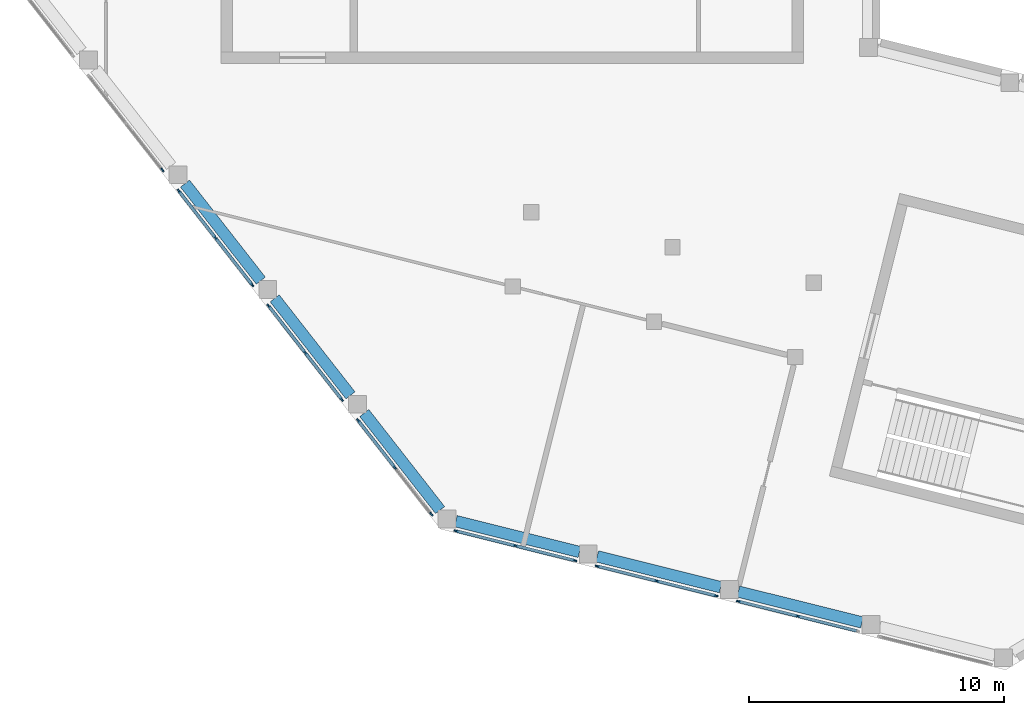
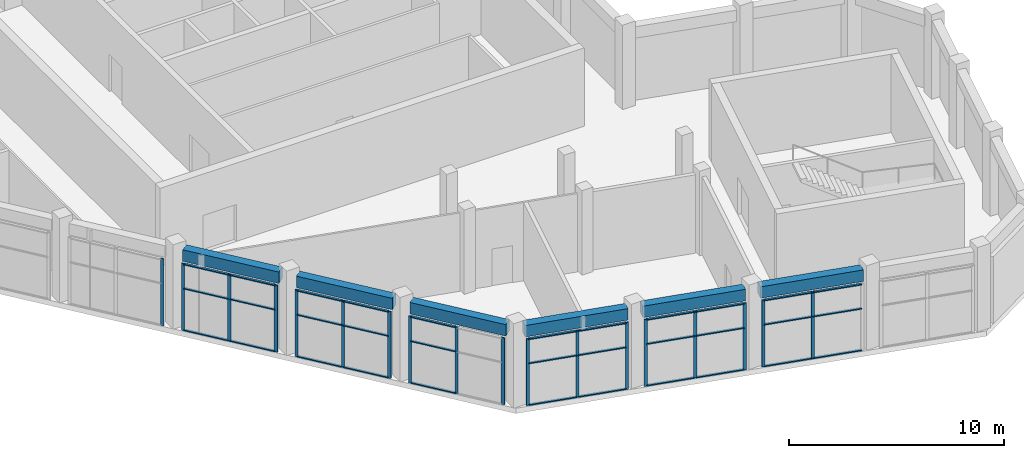
# One storey, part 2 of 10: 51 members, 6 beams, 7 elements without a shape of their own.
"""IFC4 building model written with IfcOpenShell, lengths in metres."""

from ifc_helpers import new_model, si_unit, direction, frame, origin, origin_2d, place, context, subcontext, project, spatial, rectangle, extrude, material, material_profile, profile_set, type_object, element, aggregate, save


model = new_model("IFC4")

# Units and contexts
model_context = context("Model", 3, precision=1e-05, world=origin(), true_north=direction((0.0, 1.0)))
body_context = subcontext(model_context, "Body", "Model", "MODEL_VIEW")
ifc_project = project(units=[si_unit("LENGTHUNIT", "METRE"), si_unit("AREAUNIT", "SQUARE_METRE"), si_unit("VOLUMEUNIT", "CUBIC_METRE"), si_unit("PLANEANGLEUNIT", "RADIAN"), si_unit("MASSUNIT", "GRAM", prefix="KILO")], contexts=[model_context])

# Site, building, storey
site_placement = place(None, origin())
site = spatial("IfcSite", under=ifc_project, at=site_placement, CompositionType="ELEMENT")
building_placement = place(site_placement, origin())
building = spatial("IfcBuilding", under=site, at=building_placement, Name="Meshkara Civic Tower", CompositionType="ELEMENT")
storey_placement = place(building_placement, frame((0.0, 0.0, 424.199951171875)))
storey = spatial("IfcBuildingStorey", under=building, at=storey_placement, Name="L97 Crown", CompositionType="ELEMENT", Elevation=424.199951171875)

# Curtain wall, member
ifc_material_1 = material(Name="Tinted double glazing", Category="glass")
curtain_wall_type = type_object("IfcCurtainWallType", Name="CW CROWN LANTERN", PredefinedType="NOTDEFINED", material=ifc_material_1)
curtain_wall_1_placement = place(storey_placement, origin())
curtain_wall_1 = element("IfcCurtainWall", 1, at=curtain_wall_1_placement, inside=storey, type_object=curtain_wall_type, Name="Curtain wall CW3", PredefinedType="NOTDEFINED")
ifc_material_2 = material(Name="Bronze anodised aluminium", Category="aluminium")
ifc_material_profile_1 = material_profile(ifc_material_2, rectangle(XDim=0.06005859375, YDim=0.159912109375, at=origin_2d()))
ifc_profile_set_1 = profile_set([ifc_material_profile_1], Name="Bronze anodised aluminium")
member_type_1 = type_object("IfcMemberType", Name="CW MULLION 60x160", PredefinedType="MULLION", material=ifc_profile_set_1)
member_1_placement = place(storey_placement, frame((5.71044921875, 9.920654296875, 0.0), z_axis=(0.0, 0.0, 1.0), x_axis=(0.788014731293, 0.615656384086, 0.0)))
member_1 = element("IfcMember", 2, at=member_1_placement, type_object=member_type_1, Name="CW3 mullion 3", PredefinedType="MULLION", context=body_context, shape_type="SweptSolid", body=[
    extrude(rectangle(XDim=0.06005859375, YDim=0.159912109375, at=origin_2d()), origin(), (0.0, 0.0, 1.0), 3.800048828125),
])
aggregate(curtain_wall_1, [member_1])

# Curtain wall, members
curtain_wall_2_placement = place(storey_placement, origin())
curtain_wall_2 = element("IfcCurtainWall", 3, at=curtain_wall_2_placement, inside=storey, type_object=curtain_wall_type, Name="Curtain wall CW3", PredefinedType="NOTDEFINED")
member_2_placement = place(storey_placement, frame((6.3525390625, 9.098388671875, 0.0), z_axis=(0.0, 0.0, 1.0), x_axis=(0.787992241085, 0.615685169539, 0.0)))
member_2 = element("IfcMember", 4, at=member_2_placement, type_object=member_type_1, Name="CW3 mullion 1", PredefinedType="MULLION", context=body_context, shape_type="SweptSolid", body=[
    extrude(rectangle(XDim=0.06005859375, YDim=0.159912109375, at=origin_2d()), origin(), (0.0, 0.0, 1.0), 3.800048828125),
])
member_3_placement = place(storey_placement, frame((7.78662109375, 7.262939453125, 0.0), z_axis=(0.0, 0.0, 1.0), x_axis=(0.787992241085, 0.615685169539, 0.0)))
member_3 = element("IfcMember", 5, at=member_3_placement, type_object=member_type_1, Name="CW3 mullion 2", PredefinedType="MULLION", context=body_context, shape_type="SweptSolid", body=[
    extrude(rectangle(XDim=0.06005859375, YDim=0.159912109375, at=origin_2d()), origin(), (0.0, 0.0, 1.0), 3.800048828125),
])
member_4_placement = place(storey_placement, frame((9.220458984375, 5.427734375, 0.0), z_axis=(0.0, 0.0, 1.0), x_axis=(0.787992241085, 0.615685169539, 0.0)))
member_4 = element("IfcMember", 6, at=member_4_placement, type_object=member_type_1, Name="CW3 mullion 3", PredefinedType="MULLION", context=body_context, shape_type="SweptSolid", body=[
    extrude(rectangle(XDim=0.06005859375, YDim=0.159912109375, at=origin_2d()), origin(), (0.0, 0.0, 1.0), 3.800048828125),
])

curtain_wall_3_placement = place(storey_placement, origin())
curtain_wall_3 = element("IfcCurtainWall", 7, at=curtain_wall_3_placement, inside=storey, type_object=curtain_wall_type, Name="Curtain wall CW3", PredefinedType="NOTDEFINED")
member_5_placement = place(storey_placement, frame((9.862548828125, 4.6064453125, 0.0), z_axis=(0.0, 0.0, 1.0), x_axis=(0.788014731293, 0.615656384086, 0.0)))
member_5 = element("IfcMember", 8, at=member_5_placement, type_object=member_type_1, Name="CW3 mullion 1", PredefinedType="MULLION", context=body_context, shape_type="SweptSolid", body=[
    extrude(rectangle(XDim=0.06005859375, YDim=0.159912109375, at=origin_2d()), origin(), (0.0, 0.0, 1.0), 3.800048828125),
])
member_6_placement = place(storey_placement, frame((11.2958984375, 2.771484375, 0.0), z_axis=(0.0, 0.0, 1.0), x_axis=(0.788014731293, 0.615656384086, 0.0)))
member_6 = element("IfcMember", 9, at=member_6_placement, type_object=member_type_1, Name="CW3 mullion 2", PredefinedType="MULLION", context=body_context, shape_type="SweptSolid", body=[
    extrude(rectangle(XDim=0.06005859375, YDim=0.159912109375, at=origin_2d()), origin(), (0.0, 0.0, 1.0), 3.800048828125),
])
member_7_placement = place(storey_placement, frame((12.7294921875, 0.9365234375, 0.0), z_axis=(0.0, 0.0, 1.0), x_axis=(0.788014731293, 0.615656384086, 0.0)))
member_7 = element("IfcMember", 10, at=member_7_placement, type_object=member_type_1, Name="CW3 mullion 3", PredefinedType="MULLION", context=body_context, shape_type="SweptSolid", body=[
    extrude(rectangle(XDim=0.06005859375, YDim=0.159912109375, at=origin_2d()), origin(), (0.0, 0.0, 1.0), 3.800048828125),
])

curtain_wall_4_placement = place(storey_placement, origin())
curtain_wall_4 = element("IfcCurtainWall", 11, at=curtain_wall_4_placement, inside=storey, type_object=curtain_wall_type, Name="Curtain wall CW3", PredefinedType="NOTDEFINED")
member_8_placement = place(storey_placement, frame((13.37158203125, 0.115478515625, 0.0), z_axis=(0.0, 0.0, 1.0), x_axis=(0.788014731293, 0.615656384086, 0.0)))
member_8 = element("IfcMember", 12, at=member_8_placement, type_object=member_type_1, Name="CW3 mullion 1", PredefinedType="MULLION", context=body_context, shape_type="SweptSolid", body=[
    extrude(rectangle(XDim=0.06005859375, YDim=0.159912109375, at=origin_2d()), origin(), (0.0, 0.0, 1.0), 3.800048828125),
])
member_9_placement = place(storey_placement, frame((14.804931640625, -1.719482421875, 0.0), z_axis=(0.0, 0.0, 1.0), x_axis=(0.788014731293, 0.615656384086, 0.0)))
member_9 = element("IfcMember", 13, at=member_9_placement, type_object=member_type_1, Name="CW3 mullion 2", PredefinedType="MULLION", context=body_context, shape_type="SweptSolid", body=[
    extrude(rectangle(XDim=0.06005859375, YDim=0.159912109375, at=origin_2d()), origin(), (0.0, 0.0, 1.0), 3.800048828125),
])
member_10_placement = place(storey_placement, frame((16.238525390625, -3.554443359375, 0.0), z_axis=(0.0, 0.0, 1.0), x_axis=(0.788014731293, 0.615656384086, 0.0)))
member_10 = element("IfcMember", 14, at=member_10_placement, type_object=member_type_1, Name="CW3 mullion 3", PredefinedType="MULLION", context=body_context, shape_type="SweptSolid", body=[
    extrude(rectangle(XDim=0.06005859375, YDim=0.159912109375, at=origin_2d()), origin(), (0.0, 0.0, 1.0), 3.800048828125),
])

curtain_wall_5_placement = place(storey_placement, origin())
curtain_wall_5 = element("IfcCurtainWall", 15, at=curtain_wall_5_placement, inside=storey, type_object=curtain_wall_type, Name="Curtain wall CW3", PredefinedType="NOTDEFINED")
member_11_placement = place(storey_placement, frame((17.2021484375, -4.206298828125, 0.0), z_axis=(0.0, 0.0, 1.0), x_axis=(0.241953670576, 0.970287803332, 0.0)))
member_11 = element("IfcMember", 16, at=member_11_placement, type_object=member_type_1, Name="CW3 mullion 1", PredefinedType="MULLION", context=body_context, shape_type="SweptSolid", body=[
    extrude(rectangle(XDim=0.06005859375, YDim=0.159912109375, at=origin_2d()), origin(), (0.0, 0.0, 1.0), 3.800048828125),
])
member_12_placement = place(storey_placement, frame((19.527099609375, -4.785888671875, 0.0), z_axis=(0.0, 0.0, 1.0), x_axis=(0.241953670576, 0.970287803332, 0.0)))
member_12 = element("IfcMember", 17, at=member_12_placement, type_object=member_type_1, Name="CW3 mullion 2", PredefinedType="MULLION", context=body_context, shape_type="SweptSolid", body=[
    extrude(rectangle(XDim=0.06005859375, YDim=0.159912109375, at=origin_2d()), origin(), (0.0, 0.0, 1.0), 3.800048828125),
])
member_13_placement = place(storey_placement, frame((21.851806640625, -5.36572265625, 0.0), z_axis=(0.0, 0.0, 1.0), x_axis=(0.241953670576, 0.970287803332, 0.0)))
member_13 = element("IfcMember", 18, at=member_13_placement, type_object=member_type_1, Name="CW3 mullion 3", PredefinedType="MULLION", context=body_context, shape_type="SweptSolid", body=[
    extrude(rectangle(XDim=0.06005859375, YDim=0.159912109375, at=origin_2d()), origin(), (0.0, 0.0, 1.0), 3.800048828125),
])

curtain_wall_6_placement = place(storey_placement, origin())
curtain_wall_6 = element("IfcCurtainWall", 19, at=curtain_wall_6_placement, inside=storey, type_object=curtain_wall_type, Name="Curtain wall CW3", PredefinedType="NOTDEFINED")
member_14_placement = place(storey_placement, frame((22.733154296875, -5.586181640625, 0.0), z_axis=(0.0, 0.0, 1.0), x_axis=(0.241807986541, 0.970324119892, 0.0)))
member_14 = element("IfcMember", 20, at=member_14_placement, type_object=member_type_1, Name="CW3 mullion 1", PredefinedType="MULLION", context=body_context, shape_type="SweptSolid", body=[
    extrude(rectangle(XDim=0.06005859375, YDim=0.159912109375, at=origin_2d()), origin(), (0.0, 0.0, 1.0), 3.800048828125),
])
member_15_placement = place(storey_placement, frame((25.0576171875, -6.16552734375, 0.0), z_axis=(0.0, 0.0, 1.0), x_axis=(0.241807986541, 0.970324119892, 0.0)))
member_15 = element("IfcMember", 21, at=member_15_placement, type_object=member_type_1, Name="CW3 mullion 2", PredefinedType="MULLION", context=body_context, shape_type="SweptSolid", body=[
    extrude(rectangle(XDim=0.06005859375, YDim=0.159912109375, at=origin_2d()), origin(), (0.0, 0.0, 1.0), 3.800048828125),
])
member_16_placement = place(storey_placement, frame((27.3818359375, -6.74462890625, 0.0), z_axis=(0.0, 0.0, 1.0), x_axis=(0.241807986541, 0.970324119892, 0.0)))
member_16 = element("IfcMember", 22, at=member_16_placement, type_object=member_type_1, Name="CW3 mullion 3", PredefinedType="MULLION", context=body_context, shape_type="SweptSolid", body=[
    extrude(rectangle(XDim=0.06005859375, YDim=0.159912109375, at=origin_2d()), origin(), (0.0, 0.0, 1.0), 3.800048828125),
])

curtain_wall_7_placement = place(storey_placement, origin())
curtain_wall_7 = element("IfcCurtainWall", 23, at=curtain_wall_7_placement, inside=storey, type_object=curtain_wall_type, Name="Curtain wall CW3", PredefinedType="NOTDEFINED")
member_17_placement = place(storey_placement, frame((28.26318359375, -6.96435546875, 0.0), z_axis=(0.0, 0.0, 1.0), x_axis=(0.241953670576, 0.970287803332, 0.0)))
member_17 = element("IfcMember", 24, at=member_17_placement, type_object=member_type_1, Name="CW3 mullion 1", PredefinedType="MULLION", context=body_context, shape_type="SweptSolid", body=[
    extrude(rectangle(XDim=0.06005859375, YDim=0.159912109375, at=origin_2d()), origin(), (0.0, 0.0, 1.0), 3.800048828125),
])
member_18_placement = place(storey_placement, frame((30.587890625, -7.5439453125, 0.0), z_axis=(0.0, 0.0, 1.0), x_axis=(0.241953670576, 0.970287803332, 0.0)))
member_18 = element("IfcMember", 25, at=member_18_placement, type_object=member_type_1, Name="CW3 mullion 2", PredefinedType="MULLION", context=body_context, shape_type="SweptSolid", body=[
    extrude(rectangle(XDim=0.06005859375, YDim=0.159912109375, at=origin_2d()), origin(), (0.0, 0.0, 1.0), 3.800048828125),
])

# Member
ifc_material_3 = material(Name="Bronze anodised aluminium", Category="aluminium")
ifc_material_profile_2 = material_profile(ifc_material_3, rectangle(XDim=0.1201171875, YDim=0.06005859375, at=origin_2d()))
ifc_profile_set_2 = profile_set([ifc_material_profile_2], Name="Bronze anodised aluminium")
member_type_2 = type_object("IfcMemberType", Name="CW TRANSOM 60x120", PredefinedType="USERDEFINED", material=ifc_profile_set_2)
member_19_placement = place(storey_placement, frame((6.370849609375, 9.07470703125, 0.030029296875), z_axis=(0.615719199865, -0.787965650849, 0.0), x_axis=(0.787965650849, 0.615719199865, 0.0)))
member_19 = element("IfcMember", 26, at=member_19_placement, type_object=member_type_2, Name="CW3 transom 1.1", ObjectType="TRANSOM", PredefinedType="USERDEFINED", context=body_context, shape_type="SweptSolid", body=[
    extrude(rectangle(XDim=0.1201171875, YDim=0.06005859375, at=origin_2d()), origin(), (0.0, 0.0, 1.0), 2.269287109375),
])

member_20_placement = place(storey_placement, frame((6.370849609375, 9.07470703125, 2.400146484375), z_axis=(0.615719199865, -0.787965650849, 0.0), x_axis=(0.787965650849, 0.615719199865, 0.0)))
member_20 = element("IfcMember", 27, at=member_20_placement, type_object=member_type_2, Name="CW3 transom 1.2", ObjectType="TRANSOM", PredefinedType="USERDEFINED", context=body_context, shape_type="SweptSolid", body=[
    extrude(rectangle(XDim=0.1201171875, YDim=0.06005859375, at=origin_2d()), origin(), (0.0, 0.0, 1.0), 2.269287109375),
])

member_21_placement = place(storey_placement, frame((6.370849609375, 9.07470703125, 3.77001953125), z_axis=(0.615719199865, -0.787965650849, 0.0), x_axis=(0.787965650849, 0.615719199865, 0.0)))
member_21 = element("IfcMember", 28, at=member_21_placement, type_object=member_type_2, Name="CW3 transom 1.3", ObjectType="TRANSOM", PredefinedType="USERDEFINED", context=body_context, shape_type="SweptSolid", body=[
    extrude(rectangle(XDim=0.1201171875, YDim=0.06005859375, at=origin_2d()), origin(), (0.0, 0.0, 1.0), 2.269287109375),
])

member_22_placement = place(storey_placement, frame((7.804931640625, 7.2392578125, 0.030029296875), z_axis=(0.615719199865, -0.787965650849, 0.0), x_axis=(0.787965650849, 0.615719199865, 0.0)))
member_22 = element("IfcMember", 29, at=member_22_placement, type_object=member_type_2, Name="CW3 transom 2.1", ObjectType="TRANSOM", PredefinedType="USERDEFINED", context=body_context, shape_type="SweptSolid", body=[
    extrude(rectangle(XDim=0.1201171875, YDim=0.06005859375, at=origin_2d()), origin(), (0.0, 0.0, 1.0), 2.269287109375),
])

member_23_placement = place(storey_placement, frame((7.804931640625, 7.2392578125, 2.400146484375), z_axis=(0.615719199865, -0.787965650849, 0.0), x_axis=(0.787965650849, 0.615719199865, 0.0)))
member_23 = element("IfcMember", 30, at=member_23_placement, type_object=member_type_2, Name="CW3 transom 2.2", ObjectType="TRANSOM", PredefinedType="USERDEFINED", context=body_context, shape_type="SweptSolid", body=[
    extrude(rectangle(XDim=0.1201171875, YDim=0.06005859375, at=origin_2d()), origin(), (0.0, 0.0, 1.0), 2.269287109375),
])

member_24_placement = place(storey_placement, frame((7.804931640625, 7.2392578125, 3.77001953125), z_axis=(0.615719199865, -0.787965650849, 0.0), x_axis=(0.787965650849, 0.615719199865, 0.0)))
member_24 = element("IfcMember", 31, at=member_24_placement, type_object=member_type_2, Name="CW3 transom 2.3", ObjectType="TRANSOM", PredefinedType="USERDEFINED", context=body_context, shape_type="SweptSolid", body=[
    extrude(rectangle(XDim=0.1201171875, YDim=0.06005859375, at=origin_2d()), origin(), (0.0, 0.0, 1.0), 2.269287109375),
])

aggregate(curtain_wall_2, [member_2, member_3, member_4, member_19, member_20, member_21, member_22, member_23, member_24])

member_25_placement = place(storey_placement, frame((9.880859375, 4.582763671875, 0.030029296875), z_axis=(0.615689986337, -0.787988477532, 0.0), x_axis=(0.787988477532, 0.615689986337, 0.0)))
member_25 = element("IfcMember", 32, at=member_25_placement, type_object=member_type_2, Name="CW3 transom 1.1", ObjectType="TRANSOM", PredefinedType="USERDEFINED", context=body_context, shape_type="SweptSolid", body=[
    extrude(rectangle(XDim=0.1201171875, YDim=0.06005859375, at=origin_2d()), origin(), (0.0, 0.0, 1.0), 2.2685546875),
])

member_26_placement = place(storey_placement, frame((9.880859375, 4.582763671875, 2.400146484375), z_axis=(0.615689986337, -0.787988477532, 0.0), x_axis=(0.787988477532, 0.615689986337, 0.0)))
member_26 = element("IfcMember", 33, at=member_26_placement, type_object=member_type_2, Name="CW3 transom 1.2", ObjectType="TRANSOM", PredefinedType="USERDEFINED", context=body_context, shape_type="SweptSolid", body=[
    extrude(rectangle(XDim=0.1201171875, YDim=0.06005859375, at=origin_2d()), origin(), (0.0, 0.0, 1.0), 2.2685546875),
])

member_27_placement = place(storey_placement, frame((9.880859375, 4.582763671875, 3.77001953125), z_axis=(0.615689986337, -0.787988477532, 0.0), x_axis=(0.787988477532, 0.615689986337, 0.0)))
member_27 = element("IfcMember", 34, at=member_27_placement, type_object=member_type_2, Name="CW3 transom 1.3", ObjectType="TRANSOM", PredefinedType="USERDEFINED", context=body_context, shape_type="SweptSolid", body=[
    extrude(rectangle(XDim=0.1201171875, YDim=0.06005859375, at=origin_2d()), origin(), (0.0, 0.0, 1.0), 2.2685546875),
])

member_28_placement = place(storey_placement, frame((11.314453125, 2.747802734375, 0.030029296875), z_axis=(0.615689986337, -0.787988477532, 0.0), x_axis=(0.787988477532, 0.615689986337, 0.0)))
member_28 = element("IfcMember", 35, at=member_28_placement, type_object=member_type_2, Name="CW3 transom 2.1", ObjectType="TRANSOM", PredefinedType="USERDEFINED", context=body_context, shape_type="SweptSolid", body=[
    extrude(rectangle(XDim=0.1201171875, YDim=0.06005859375, at=origin_2d()), origin(), (0.0, 0.0, 1.0), 2.2685546875),
])

member_29_placement = place(storey_placement, frame((11.314453125, 2.747802734375, 2.400146484375), z_axis=(0.615689986337, -0.787988477532, 0.0), x_axis=(0.787988477532, 0.615689986337, 0.0)))
member_29 = element("IfcMember", 36, at=member_29_placement, type_object=member_type_2, Name="CW3 transom 2.2", ObjectType="TRANSOM", PredefinedType="USERDEFINED", context=body_context, shape_type="SweptSolid", body=[
    extrude(rectangle(XDim=0.1201171875, YDim=0.06005859375, at=origin_2d()), origin(), (0.0, 0.0, 1.0), 2.2685546875),
])

member_30_placement = place(storey_placement, frame((11.314453125, 2.747802734375, 3.77001953125), z_axis=(0.615689986337, -0.787988477532, 0.0), x_axis=(0.787988477532, 0.615689986337, 0.0)))
member_30 = element("IfcMember", 37, at=member_30_placement, type_object=member_type_2, Name="CW3 transom 2.3", ObjectType="TRANSOM", PredefinedType="USERDEFINED", context=body_context, shape_type="SweptSolid", body=[
    extrude(rectangle(XDim=0.1201171875, YDim=0.06005859375, at=origin_2d()), origin(), (0.0, 0.0, 1.0), 2.2685546875),
])

aggregate(curtain_wall_3, [member_5, member_6, member_7, member_25, member_26, member_27, member_28, member_29, member_30])

member_31_placement = place(storey_placement, frame((13.389892578125, 0.091796875, 0.030029296875), z_axis=(0.615689986337, -0.787988477532, 0.0), x_axis=(0.787988477532, 0.615689986337, 0.0)))
member_31 = element("IfcMember", 38, at=member_31_placement, type_object=member_type_2, Name="CW3 transom 1.1", ObjectType="TRANSOM", PredefinedType="USERDEFINED", context=body_context, shape_type="SweptSolid", body=[
    extrude(rectangle(XDim=0.1201171875, YDim=0.06005859375, at=origin_2d()), origin(), (0.0, 0.0, 1.0), 2.2685546875),
])

member_32_placement = place(storey_placement, frame((13.389892578125, 0.091796875, 2.400146484375), z_axis=(0.615689986337, -0.787988477532, 0.0), x_axis=(0.787988477532, 0.615689986337, 0.0)))
member_32 = element("IfcMember", 39, at=member_32_placement, type_object=member_type_2, Name="CW3 transom 1.2", ObjectType="TRANSOM", PredefinedType="USERDEFINED", context=body_context, shape_type="SweptSolid", body=[
    extrude(rectangle(XDim=0.1201171875, YDim=0.06005859375, at=origin_2d()), origin(), (0.0, 0.0, 1.0), 2.2685546875),
])

member_33_placement = place(storey_placement, frame((13.389892578125, 0.091796875, 3.77001953125), z_axis=(0.615689986337, -0.787988477532, 0.0), x_axis=(0.787988477532, 0.615689986337, 0.0)))
member_33 = element("IfcMember", 40, at=member_33_placement, type_object=member_type_2, Name="CW3 transom 1.3", ObjectType="TRANSOM", PredefinedType="USERDEFINED", context=body_context, shape_type="SweptSolid", body=[
    extrude(rectangle(XDim=0.1201171875, YDim=0.06005859375, at=origin_2d()), origin(), (0.0, 0.0, 1.0), 2.2685546875),
])

aggregate(curtain_wall_4, [member_8, member_9, member_10, member_31, member_32, member_33])

member_34_placement = place(storey_placement, frame((17.231201171875, -4.213623046875, 0.030029296875), z_axis=(0.970289867048, -0.241945394465, 0.0), x_axis=(0.241945394465, 0.970289867048, 0.0)))
member_34 = element("IfcMember", 41, at=member_34_placement, type_object=member_type_2, Name="CW3 transom 1.1", ObjectType="TRANSOM", PredefinedType="USERDEFINED", context=body_context, shape_type="SweptSolid", body=[
    extrude(rectangle(XDim=0.1201171875, YDim=0.06005859375, at=origin_2d()), origin(), (0.0, 0.0, 1.0), 2.3359375),
])

member_35_placement = place(storey_placement, frame((17.231201171875, -4.213623046875, 2.400146484375), z_axis=(0.970289867048, -0.241945394465, 0.0), x_axis=(0.241945394465, 0.970289867048, 0.0)))
member_35 = element("IfcMember", 42, at=member_35_placement, type_object=member_type_2, Name="CW3 transom 1.2", ObjectType="TRANSOM", PredefinedType="USERDEFINED", context=body_context, shape_type="SweptSolid", body=[
    extrude(rectangle(XDim=0.1201171875, YDim=0.06005859375, at=origin_2d()), origin(), (0.0, 0.0, 1.0), 2.3359375),
])

member_36_placement = place(storey_placement, frame((17.231201171875, -4.213623046875, 3.77001953125), z_axis=(0.970289867048, -0.241945394465, 0.0), x_axis=(0.241945394465, 0.970289867048, 0.0)))
member_36 = element("IfcMember", 43, at=member_36_placement, type_object=member_type_2, Name="CW3 transom 1.3", ObjectType="TRANSOM", PredefinedType="USERDEFINED", context=body_context, shape_type="SweptSolid", body=[
    extrude(rectangle(XDim=0.1201171875, YDim=0.06005859375, at=origin_2d()), origin(), (0.0, 0.0, 1.0), 2.3359375),
])

member_37_placement = place(storey_placement, frame((19.55615234375, -4.793212890625, 0.030029296875), z_axis=(0.970289867048, -0.241945394465, 0.0), x_axis=(0.241945394465, 0.970289867048, 0.0)))
member_37 = element("IfcMember", 44, at=member_37_placement, type_object=member_type_2, Name="CW3 transom 2.1", ObjectType="TRANSOM", PredefinedType="USERDEFINED", context=body_context, shape_type="SweptSolid", body=[
    extrude(rectangle(XDim=0.1201171875, YDim=0.06005859375, at=origin_2d()), origin(), (0.0, 0.0, 1.0), 2.3359375),
])

member_38_placement = place(storey_placement, frame((19.55615234375, -4.793212890625, 2.400146484375), z_axis=(0.970289867048, -0.241945394465, 0.0), x_axis=(0.241945394465, 0.970289867048, 0.0)))
member_38 = element("IfcMember", 45, at=member_38_placement, type_object=member_type_2, Name="CW3 transom 2.2", ObjectType="TRANSOM", PredefinedType="USERDEFINED", context=body_context, shape_type="SweptSolid", body=[
    extrude(rectangle(XDim=0.1201171875, YDim=0.06005859375, at=origin_2d()), origin(), (0.0, 0.0, 1.0), 2.3359375),
])

member_39_placement = place(storey_placement, frame((19.55615234375, -4.793212890625, 3.77001953125), z_axis=(0.970289867048, -0.241945394465, 0.0), x_axis=(0.241945394465, 0.970289867048, 0.0)))
member_39 = element("IfcMember", 46, at=member_39_placement, type_object=member_type_2, Name="CW3 transom 2.3", ObjectType="TRANSOM", PredefinedType="USERDEFINED", context=body_context, shape_type="SweptSolid", body=[
    extrude(rectangle(XDim=0.1201171875, YDim=0.06005859375, at=origin_2d()), origin(), (0.0, 0.0, 1.0), 2.3359375),
])

aggregate(curtain_wall_5, [member_11, member_12, member_13, member_34, member_35, member_36, member_37, member_38, member_39])

member_40_placement = place(storey_placement, frame((22.76220703125, -5.593505859375, 0.030029296875), z_axis=(0.970326699275, -0.241797635792, 0.0), x_axis=(0.241797635792, 0.970326699275, 0.0)))
member_40 = element("IfcMember", 47, at=member_40_placement, type_object=member_type_2, Name="CW3 transom 1.1", ObjectType="TRANSOM", PredefinedType="USERDEFINED", context=body_context, shape_type="SweptSolid", body=[
    extrude(rectangle(XDim=0.1201171875, YDim=0.06005859375, at=origin_2d()), origin(), (0.0, 0.0, 1.0), 2.33544921875),
])

member_41_placement = place(storey_placement, frame((22.76220703125, -5.593505859375, 2.400146484375), z_axis=(0.970326699275, -0.241797635792, 0.0), x_axis=(0.241797635792, 0.970326699275, 0.0)))
member_41 = element("IfcMember", 48, at=member_41_placement, type_object=member_type_2, Name="CW3 transom 1.2", ObjectType="TRANSOM", PredefinedType="USERDEFINED", context=body_context, shape_type="SweptSolid", body=[
    extrude(rectangle(XDim=0.1201171875, YDim=0.06005859375, at=origin_2d()), origin(), (0.0, 0.0, 1.0), 2.33544921875),
])

member_42_placement = place(storey_placement, frame((22.76220703125, -5.593505859375, 3.77001953125), z_axis=(0.970326699275, -0.241797635792, 0.0), x_axis=(0.241797635792, 0.970326699275, 0.0)))
member_42 = element("IfcMember", 49, at=member_42_placement, type_object=member_type_2, Name="CW3 transom 1.3", ObjectType="TRANSOM", PredefinedType="USERDEFINED", context=body_context, shape_type="SweptSolid", body=[
    extrude(rectangle(XDim=0.1201171875, YDim=0.06005859375, at=origin_2d()), origin(), (0.0, 0.0, 1.0), 2.33544921875),
])

member_43_placement = place(storey_placement, frame((25.086669921875, -6.1728515625, 0.030029296875), z_axis=(0.970326699275, -0.241797635792, 0.0), x_axis=(0.241797635792, 0.970326699275, 0.0)))
member_43 = element("IfcMember", 50, at=member_43_placement, type_object=member_type_2, Name="CW3 transom 2.1", ObjectType="TRANSOM", PredefinedType="USERDEFINED", context=body_context, shape_type="SweptSolid", body=[
    extrude(rectangle(XDim=0.1201171875, YDim=0.06005859375, at=origin_2d()), origin(), (0.0, 0.0, 1.0), 2.33544921875),
])

member_44_placement = place(storey_placement, frame((25.086669921875, -6.1728515625, 2.400146484375), z_axis=(0.970326699275, -0.241797635792, 0.0), x_axis=(0.241797635792, 0.970326699275, 0.0)))
member_44 = element("IfcMember", 51, at=member_44_placement, type_object=member_type_2, Name="CW3 transom 2.2", ObjectType="TRANSOM", PredefinedType="USERDEFINED", context=body_context, shape_type="SweptSolid", body=[
    extrude(rectangle(XDim=0.1201171875, YDim=0.06005859375, at=origin_2d()), origin(), (0.0, 0.0, 1.0), 2.33544921875),
])

member_45_placement = place(storey_placement, frame((25.086669921875, -6.1728515625, 3.77001953125), z_axis=(0.970326699275, -0.241797635792, 0.0), x_axis=(0.241797635792, 0.970326699275, 0.0)))
member_45 = element("IfcMember", 52, at=member_45_placement, type_object=member_type_2, Name="CW3 transom 2.3", ObjectType="TRANSOM", PredefinedType="USERDEFINED", context=body_context, shape_type="SweptSolid", body=[
    extrude(rectangle(XDim=0.1201171875, YDim=0.06005859375, at=origin_2d()), origin(), (0.0, 0.0, 1.0), 2.33544921875),
])

aggregate(curtain_wall_6, [member_14, member_15, member_16, member_40, member_41, member_42, member_43, member_44, member_45])

member_46_placement = place(storey_placement, frame((28.292236328125, -6.971435546875, 0.030029296875), z_axis=(0.970289867048, -0.241945394465, 0.0), x_axis=(0.241945394465, 0.970289867048, 0.0)))
member_46 = element("IfcMember", 53, at=member_46_placement, type_object=member_type_2, Name="CW3 transom 1.1", ObjectType="TRANSOM", PredefinedType="USERDEFINED", context=body_context, shape_type="SweptSolid", body=[
    extrude(rectangle(XDim=0.1201171875, YDim=0.06005859375, at=origin_2d()), origin(), (0.0, 0.0, 1.0), 2.3359375),
])

member_47_placement = place(storey_placement, frame((28.292236328125, -6.971435546875, 2.400146484375), z_axis=(0.970289867048, -0.241945394465, 0.0), x_axis=(0.241945394465, 0.970289867048, 0.0)))
member_47 = element("IfcMember", 54, at=member_47_placement, type_object=member_type_2, Name="CW3 transom 1.2", ObjectType="TRANSOM", PredefinedType="USERDEFINED", context=body_context, shape_type="SweptSolid", body=[
    extrude(rectangle(XDim=0.1201171875, YDim=0.06005859375, at=origin_2d()), origin(), (0.0, 0.0, 1.0), 2.3359375),
])

member_48_placement = place(storey_placement, frame((28.292236328125, -6.971435546875, 3.77001953125), z_axis=(0.970289867048, -0.241945394465, 0.0), x_axis=(0.241945394465, 0.970289867048, 0.0)))
member_48 = element("IfcMember", 55, at=member_48_placement, type_object=member_type_2, Name="CW3 transom 1.3", ObjectType="TRANSOM", PredefinedType="USERDEFINED", context=body_context, shape_type="SweptSolid", body=[
    extrude(rectangle(XDim=0.1201171875, YDim=0.06005859375, at=origin_2d()), origin(), (0.0, 0.0, 1.0), 2.3359375),
])

member_49_placement = place(storey_placement, frame((30.6171875, -7.55126953125, 0.030029296875), z_axis=(0.970289867048, -0.241945394465, 0.0), x_axis=(0.241945394465, 0.970289867048, 0.0)))
member_49 = element("IfcMember", 56, at=member_49_placement, type_object=member_type_2, Name="CW3 transom 2.1", ObjectType="TRANSOM", PredefinedType="USERDEFINED", context=body_context, shape_type="SweptSolid", body=[
    extrude(rectangle(XDim=0.1201171875, YDim=0.06005859375, at=origin_2d()), origin(), (0.0, 0.0, 1.0), 2.3359375),
])

member_50_placement = place(storey_placement, frame((30.6171875, -7.55126953125, 2.400146484375), z_axis=(0.970289867048, -0.241945394465, 0.0), x_axis=(0.241945394465, 0.970289867048, 0.0)))
member_50 = element("IfcMember", 57, at=member_50_placement, type_object=member_type_2, Name="CW3 transom 2.2", ObjectType="TRANSOM", PredefinedType="USERDEFINED", context=body_context, shape_type="SweptSolid", body=[
    extrude(rectangle(XDim=0.1201171875, YDim=0.06005859375, at=origin_2d()), origin(), (0.0, 0.0, 1.0), 2.3359375),
])

member_51_placement = place(storey_placement, frame((30.6171875, -7.55126953125, 3.77001953125), z_axis=(0.970289867048, -0.241945394465, 0.0), x_axis=(0.241945394465, 0.970289867048, 0.0)))
member_51 = element("IfcMember", 58, at=member_51_placement, type_object=member_type_2, Name="CW3 transom 2.3", ObjectType="TRANSOM", PredefinedType="USERDEFINED", context=body_context, shape_type="SweptSolid", body=[
    extrude(rectangle(XDim=0.1201171875, YDim=0.06005859375, at=origin_2d()), origin(), (0.0, 0.0, 1.0), 2.3359375),
])

aggregate(curtain_wall_7, [member_17, member_18, member_46, member_47, member_48, member_49, member_50, member_51])

# Beams
ifc_material_4 = material(Name="Concrete C50", Category="concrete")
ifc_material_profile_3 = material_profile(ifc_material_4, rectangle(XDim=0.449951171875, YDim=0.64990234375, at=origin_2d()))
ifc_profile_set_3 = profile_set([ifc_material_profile_3], Name="Concrete C50")
beam_type = type_object("IfcBeamType", Name="Spandrel beam RC 450x650 C50", PredefinedType="BEAM", material=ifc_profile_set_3)
beam_1_placement = place(storey_placement, frame((6.593505859375, 9.390869140625, 4.125), z_axis=(0.615695129878, -0.787984458632, 0.0), x_axis=(0.787984458632, 0.615695129878, 0.0)))
element("IfcBeam", 59, at=beam_1_placement, inside=storey, type_object=beam_type, Name="Spandrel beam BOW02-BOW03", PredefinedType="BEAM", context=body_context, shape_type="SweptSolid", body=[
    extrude(rectangle(XDim=0.449951171875, YDim=0.64990234375, at=origin_2d()), origin(), (0.0, 0.0, 1.0), 4.822265625),
])
beam_2_placement = place(storey_placement, frame((10.103515625, 4.89892578125, 4.125), z_axis=(0.615667628032, -0.788005946547, 0.0), x_axis=(0.788005946547, 0.615667628032, 0.0)))
element("IfcBeam", 60, at=beam_2_placement, inside=storey, type_object=beam_type, Name="Spandrel beam BOW01-BOW02", PredefinedType="BEAM", context=body_context, shape_type="SweptSolid", body=[
    extrude(rectangle(XDim=0.449951171875, YDim=0.64990234375, at=origin_2d()), origin(), (0.0, 0.0, 1.0), 4.82080078125),
])
beam_3_placement = place(storey_placement, frame((13.6123046875, 0.407958984375, 4.125), z_axis=(0.615632251353, -0.788033585004, 0.0), x_axis=(0.788033585004, 0.615632251353, 0.0)))
element("IfcBeam", 61, at=beam_3_placement, inside=storey, type_object=beam_type, Name="Spandrel beam BOW00-BOW01", PredefinedType="BEAM", context=body_context, shape_type="SweptSolid", body=[
    extrude(rectangle(XDim=0.449951171875, YDim=0.64990234375, at=origin_2d()), origin(), (0.0, 0.0, 1.0), 4.82177734375),
])
beam_4_placement = place(storey_placement, frame((17.196044921875, -3.82421875, 4.125), z_axis=(0.970303486882, -0.241890767382, 0.0), x_axis=(0.241890767382, 0.970303486882, 0.0)))
element("IfcBeam", 62, at=beam_4_placement, inside=storey, type_object=beam_type, Name="Spandrel beam BOW00-BS01", PredefinedType="BEAM", context=body_context, shape_type="SweptSolid", body=[
    extrude(rectangle(XDim=0.449951171875, YDim=0.64990234375, at=origin_2d()), origin(), (0.0, 0.0, 1.0), 4.989013671875),
])
beam_5_placement = place(storey_placement, frame((22.72705078125, -5.203125, 4.125), z_axis=(0.970292030407, -0.241936718437, 0.0), x_axis=(0.241936718437, 0.970292030407, 0.0)))
element("IfcBeam", 63, at=beam_5_placement, inside=storey, type_object=beam_type, Name="Spandrel beam BS01-BS02", PredefinedType="BEAM", context=body_context, shape_type="SweptSolid", body=[
    extrude(rectangle(XDim=0.449951171875, YDim=0.64990234375, at=origin_2d()), origin(), (0.0, 0.0, 1.0), 4.988037109375),
])
beam_6_placement = place(storey_placement, frame((28.257080078125, -6.58203125, 4.125), z_axis=(0.970303486882, -0.241890767382, 0.0), x_axis=(0.241890767382, 0.970303486882, 0.0)))
element("IfcBeam", 64, at=beam_6_placement, inside=storey, type_object=beam_type, Name="Spandrel beam BS02-BS03", PredefinedType="BEAM", context=body_context, shape_type="SweptSolid", body=[
    extrude(rectangle(XDim=0.449951171875, YDim=0.64990234375, at=origin_2d()), origin(), (0.0, 0.0, 1.0), 4.989013671875),
])

save(model, "model.ifc")
